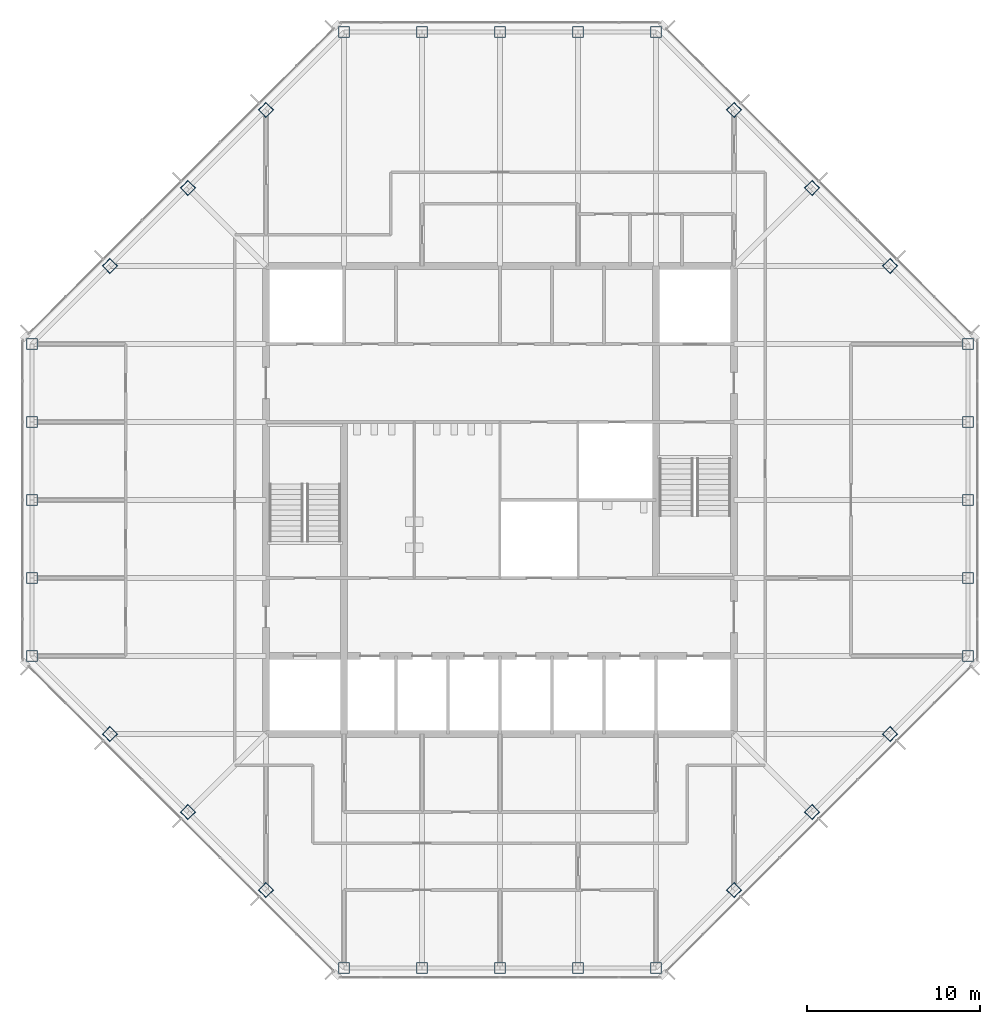
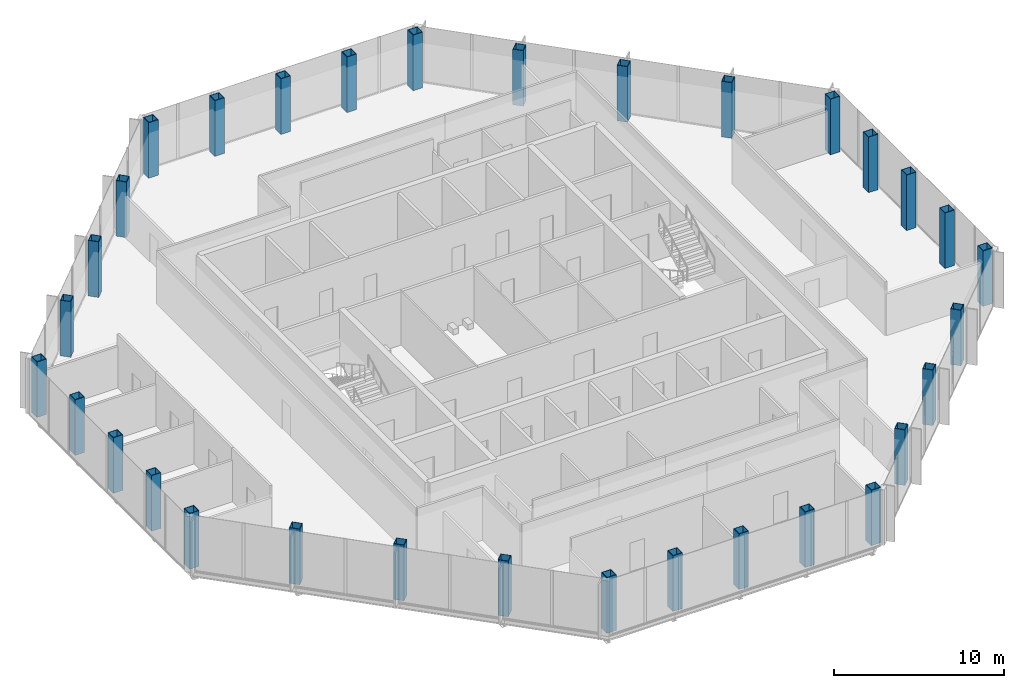
# One storey, part 1 of 14: 32 columns.
"""IFC4 building model written with IfcOpenShell, lengths in metres."""

from ifc_helpers import new_model, si_unit, direction, frame, origin, origin_2d, place, context, subcontext, project, spatial, hollow_rectangle, extrude, material, material_profile, profile_set, type_object, element, save


model = new_model("IFC4")

# Units and contexts
model_context = context("Model", 3, precision=1e-05, world=origin(), true_north=direction((0.0, 1.0)))
body_context = subcontext(model_context, "Body", "Model", "MODEL_VIEW")
ifc_project = project(units=[si_unit("LENGTHUNIT", "METRE"), si_unit("AREAUNIT", "SQUARE_METRE"), si_unit("VOLUMEUNIT", "CUBIC_METRE"), si_unit("PLANEANGLEUNIT", "RADIAN"), si_unit("MASSUNIT", "GRAM", prefix="KILO")], contexts=[model_context])

# Site, building, storey
site_placement = place(None, origin())
site = spatial("IfcSite", under=ifc_project, at=site_placement, CompositionType="ELEMENT")
building_placement = place(site_placement, origin())
building = spatial("IfcBuilding", under=site, at=building_placement, Name="Corais Broadcast Tower", CompositionType="ELEMENT")
storey_placement = place(building_placement, frame((0.0, 0.0, 234.60009765625)))
storey = spatial("IfcBuildingStorey", under=building, at=storey_placement, Name="L54", CompositionType="ELEMENT", Elevation=234.60009765625)

# Columns
ifc_material = material(Name="Steel ASTM A572 Grade 50", Category="steel")
ifc_material_profile = material_profile(ifc_material, hollow_rectangle(XDim=0.64990234375, YDim=0.64990234375, WallThickness=0.031982421875, at=origin_2d()), Name="BOX 650x650x32")
ifc_profile_set = profile_set([ifc_material_profile], Name="Steel ASTM A572 Grade 50")
column_type = type_object("IfcColumnType", Name="Column BOX 650x650x32", PredefinedType="COLUMN", material=ifc_profile_set)
for number, where, z_axis, x_axis, name in (
    (1, (18.0, 0.0, 0.0), (0.0, 0.0, 1.0), (1.0, 0.0, 0.0), "C6 A/7"),
    (2, (22.5, 0.0, 0.0), (0.0, 0.0, 1.0), (1.0, 0.0, 0.0), "C6 A/8"),
    (3, (27.0, 0.0, 0.0), (0.0, 0.0, 1.0), (1.0, 0.0, 0.0), "C6 A/9"),
    (4, (31.5, 0.0, 0.0), (0.0, 0.0, 1.0), (1.0, 0.0, 0.0), "C6 A/10"),
    (5, (36.0, 0.0, 0.0), (0.0, 0.0, 1.0), (1.0, 0.0, 0.0), "C6 A/11"),
    (6, (54.0, 18.0, 0.0), (0.0, 0.0, 1.0), (1.0, 0.0, 0.0), "C6 E/15"),
    (7, (54.0, 22.5, 0.0), (0.0, 0.0, 1.0), (1.0, 0.0, 0.0), "C6 F/15"),
    (8, (54.0, 27.0, 0.0), (0.0, 0.0, 1.0), (1.0, 0.0, 0.0), "C6 G/15"),
    (9, (54.0, 31.5, 0.0), (0.0, 0.0, 1.0), (1.0, 0.0, 0.0), "C6 H/15"),
    (10, (54.0, 36.0, 0.0), (0.0, 0.0, 1.0), (1.0, 0.0, 0.0), "C6 J/15"),
    (11, (36.0, 54.0, 0.0), (0.0, 0.0, 1.0), (1.0, 0.0, 0.0), "C6 N/11"),
    (12, (31.5, 54.0, 0.0), (0.0, 0.0, 1.0), (1.0, 0.0, 0.0), "C6 N/10"),
    (13, (27.0, 54.0, 0.0), (0.0, 0.0, 1.0), (1.0, 0.0, 0.0), "C6 N/9"),
    (14, (22.5, 54.0, 0.0), (0.0, 0.0, 1.0), (1.0, 0.0, 0.0), "C6 N/8"),
    (15, (18.0, 54.0, 0.0), (0.0, 0.0, 1.0), (1.0, 0.0, 0.0), "C6 N/7"),
    (16, (0.0, 36.0, 0.0), (0.0, 0.0, 1.0), (1.0, 0.0, 0.0), "C6 J/3"),
    (17, (0.0, 31.5, 0.0), (0.0, 0.0, 1.0), (1.0, 0.0, 0.0), "C6 H/3"),
    (18, (0.0, 27.0, 0.0), (0.0, 0.0, 1.0), (1.0, 0.0, 0.0), "C6 G/3"),
    (19, (0.0, 22.5, 0.0), (0.0, 0.0, 1.0), (1.0, 0.0, 0.0), "C6 F/3"),
    (20, (0.0, 18.0, 0.0), (0.0, 0.0, 1.0), (1.0, 0.0, 0.0), "C6 E/3"),
    (21, (13.5, 4.5, 0.0), (0.0, 0.0, 1.0), (0.707106781187, 0.707106781187, 0.0), "C6 B/6"),
    (22, (9.0, 9.0, 0.0), (0.0, 0.0, 1.0), (0.707106781187, 0.707106781187, 0.0), "C6 C/5"),
    (23, (4.5, 13.5, 0.0), (0.0, 0.0, 1.0), (0.707106781187, 0.707106781187, 0.0), "C6 D/4"),
    (24, (40.5, 4.5, 0.0), (0.0, 0.0, 1.0), (0.707106781187, 0.707106781187, 0.0), "C6 B/12"),
    (25, (45.0, 9.0, 0.0), (0.0, 0.0, 1.0), (0.707106781187, 0.707106781187, 0.0), "C6 C/13"),
    (26, (49.5, 13.5, 0.0), (0.0, 0.0, 1.0), (0.707106781187, 0.707106781187, 0.0), "C6 D/14"),
    (27, (49.5, 40.5, 0.0), (0.0, 0.0, 1.0), (0.707106781187, 0.707106781187, 0.0), "C6 K/14"),
    (28, (45.0, 45.0, 0.0), (0.0, 0.0, 1.0), (0.707106781187, 0.707106781187, 0.0), "C6 L/13"),
    (29, (40.5, 49.5, 0.0), (0.0, 0.0, 1.0), (0.707106781187, 0.707106781187, 0.0), "C6 M/12"),
    (30, (4.5, 40.5, 0.0), (0.0, 0.0, 1.0), (0.707106781187, 0.707106781187, 0.0), "C6 K/4"),
    (31, (9.0, 45.0, 0.0), (0.0, 0.0, 1.0), (0.707106781187, 0.707106781187, 0.0), "C6 L/5"),
    (32, (13.5, 49.5, 0.0), (0.0, 0.0, 1.0), (0.707106781187, 0.707106781187, 0.0), "C6 M/6"),
):
    element("IfcColumn", number, at=place(storey_placement, frame(where, z_axis=z_axis, x_axis=x_axis)), inside=storey, type_object=column_type, Name=name, PredefinedType="COLUMN", context=body_context, shape_type="SweptSolid", body=[
        extrude(hollow_rectangle(XDim=0.64990234375, YDim=0.64990234375, WallThickness=0.031982421875, at=origin_2d()), origin(), (0.0, 0.0, 1.0), 4.0),
    ])

save(model, "model.ifc")
